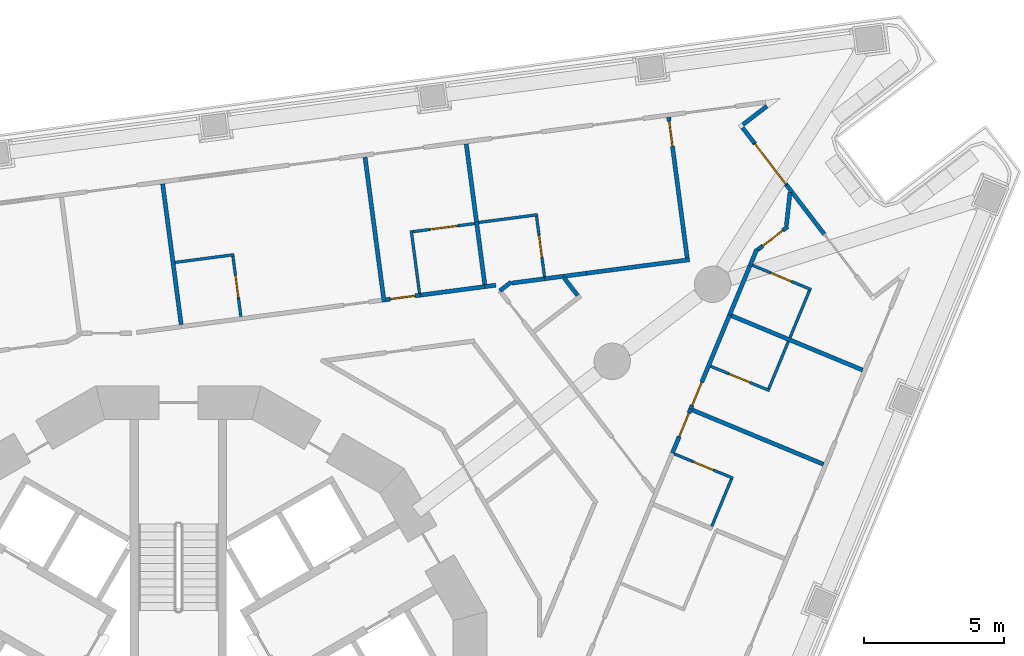
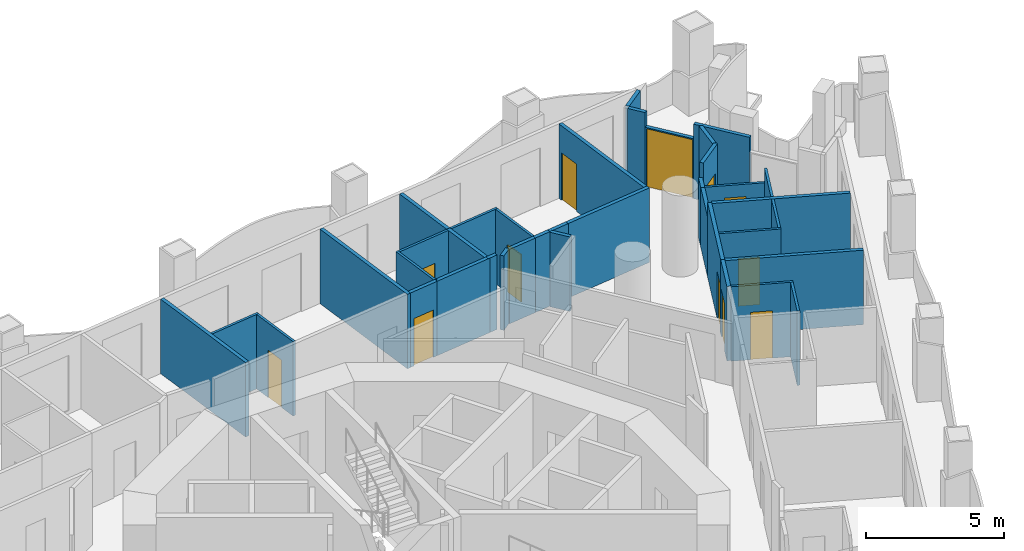
# One storey, part 10 of 19: 38 walls, 12 doors, 12 openings.
"""IFC4 building model written with IfcOpenShell, lengths in metres."""

from ifc_helpers import new_model, si_unit, direction, frame, frame_2d, origin, place, context, subcontext, project, spatial, polyline, rectangle, outline, extrude, material, layer, layer_set, type_object, element, fill, save


model = new_model("IFC4")

# Units and contexts
model_context = context("Model", 3, precision=1e-05, world=origin(), true_north=direction((0.0, 1.0)))
body_context = subcontext(model_context, "Body", "Model", "MODEL_VIEW")
ifc_project = project(units=[si_unit("LENGTHUNIT", "METRE"), si_unit("AREAUNIT", "SQUARE_METRE"), si_unit("VOLUMEUNIT", "CUBIC_METRE"), si_unit("PLANEANGLEUNIT", "RADIAN"), si_unit("MASSUNIT", "GRAM", prefix="KILO")], contexts=[model_context])

# Site, building, storey
site_placement = place(None, origin())
site = spatial("IfcSite", under=ifc_project, at=site_placement, CompositionType="ELEMENT")
building_placement = place(site_placement, origin())
building = spatial("IfcBuilding", under=site, at=building_placement, Name="Trine Commons Tower", CompositionType="ELEMENT")
storey_placement = place(building_placement, frame((0.0, 0.0, 72.0)))
storey = spatial("IfcBuildingStorey", under=building, at=storey_placement, Name="L17", CompositionType="ELEMENT", Elevation=72.0)

# Walls
ifc_material_1 = material(Name="Aluminium-framed insulated wall panel", Category="aluminium")
ifc_layer_1 = layer(ifc_material_1, 0.14990234375)
ifc_layer_set_1 = layer_set([ifc_layer_1], Name="Aluminium-framed insulated wall panel")
wall_type_1 = type_object("IfcWallType", Name="Glazed frame wall 150, EI 60", PredefinedType="SOLIDWALL", material=ifc_layer_set_1)
wall_1_placement = place(storey_placement, frame((101.129150390625, 83.584716796875, 0.0), z_axis=(0.0, 0.0, 1.0), x_axis=(-0.79337253673, -0.608736410905, 0.0)))
element("IfcWall", 1, at=wall_1_placement, inside=storey, type_object=wall_type_1, Name="Glazed frame wall R5", PredefinedType="SOLIDWALL", context=body_context, shape_type="SweptSolid", body=[
    extrude(outline(polyline([(0.1494140625, 0.074951171875), (0.1494140625, -0.074951171875), (1.235107421875, -0.074951171875), (1.235107421875, 0.074951171875), (0.1494140625, 0.074951171875)])), origin(), (0.0, 0.0, 1.0), 3.300048828125),
])
wall_2_placement = place(storey_placement, frame((100.068603515625, 82.81494140625, 0.0), z_axis=(0.0, 0.0, 1.0), x_axis=(0.608899188606, -0.79324761463, 0.0)))
element("IfcWall", 2, at=wall_2_placement, inside=storey, type_object=wall_type_1, Name="Glazed frame wall P2.1", PredefinedType="SOLIDWALL", context=body_context, shape_type="SweptSolid", body=[
    extrude(outline(polyline([(0.110107421875, -0.074951171875), (0.800048828125, -0.074951171875), (0.800048828125, 0.074951171875), (0.110107421875, 0.074951171875), (0.110107421875, -0.074951171875)])), origin(), (0.0, 0.0, 1.0), 3.300048828125),
])

# Wall, opening, door
wall_3_placement = place(storey_placement, frame((100.5556640625, 82.180419921875, 0.0), z_axis=(0.0, 0.0, 1.0), x_axis=(0.608803740143, -0.793320872023, 0.0)))
wall_3 = element("IfcWall", 3, at=wall_3_placement, inside=storey, type_object=wall_type_1, Name="Glazed frame wall P2.2", PredefinedType="SOLIDWALL", context=body_context, shape_type="SweptSolid", body=[
    extrude(outline(polyline([(0.0, -0.074951171875), (1.89990234375, -0.074951171875), (1.89990234375, 0.074951171875), (0.0, 0.074951171875), (0.0, -0.074951171875)])), origin(), (0.0, 0.0, 1.0), 2.64990234375),
])
opening_1_placement = place(wall_3_placement, frame((0.050048828125, 0.0, 0.0)))
opening_1 = element("IfcOpeningElement", 4, at=opening_1_placement, cuts=wall_3, Name="Opening BD-2P2-01", PredefinedType="OPENING", context=body_context, shape_type="SweptSolid", body=[
    extrude(rectangle(XDim=1.800048828125, YDim=2.60009765625, at=frame_2d((0.89990234375, 1.300048828125))), frame((0.0, 0.0849609375, 0.0), z_axis=(0.0, -1.0, 0.0), x_axis=(1.0, 0.0, 0.0)), (0.0, 0.0, 1.0), 0.169921875),
])
ifc_material_2 = material(Name="Anodised aluminium frame with double glazing", Category="aluminium")
door_type_1 = type_object("IfcDoorType", Name="Sliding loggia door 1800x2600", OperationType="SLIDING_TO_LEFT", PredefinedType="DOOR", material=ifc_material_2)
door_1_placement = place(opening_1_placement, origin())
door_1 = element("IfcDoor", 5, at=door_1_placement, inside=storey, type_object=door_type_1, Name="Loggia door P2 1", OperationType="SLIDING_TO_LEFT", OverallHeight=2.60009765625, OverallWidth=1.800048828125, PredefinedType="DOOR", context=body_context, shape_type="SweptSolid", body=[
    extrude(rectangle(XDim=1.800048828125, YDim=2.60009765625, at=frame_2d((0.89990234375, 1.300048828125))), frame((0.0, 0.02490234375, 0.0), z_axis=(0.0, -1.0, 0.0), x_axis=(1.0, 0.0, 0.0)), (0.0, 0.0, 1.0), 0.050048828125),
])
fill(opening_1, door_1)

# Walls
wall_4_placement = place(storey_placement, frame((101.71240234375, 80.673095703125, 0.0), z_axis=(0.0, 0.0, 1.0), x_axis=(0.608664482268, -0.793427720732, 0.0)))
element("IfcWall", 6, at=wall_4_placement, inside=storey, type_object=wall_type_1, Name="Glazed frame wall P2.3", PredefinedType="SOLIDWALL", context=body_context, shape_type="SweptSolid", body=[
    extrude(outline(polyline([(0.0, -0.074951171875), (2.199951171875, -0.074951171875), (2.199951171875, 0.074951171875), (0.0, 0.074951171875), (0.0, -0.074951171875)])), origin(), (0.0, 0.0, 1.0), 3.300048828125),
])
ifc_material_3 = material(Name="Gypsum plasterboard on steel stud", Category="steel")
ifc_layer_2 = layer(ifc_material_3, 0.14990234375)
ifc_layer_set_2 = layer_set([ifc_layer_2], Name="Gypsum plasterboard on steel stud")
wall_type_2 = type_object("IfcWallType", Name="Unit and corridor wall 150 mm, EI 60", PredefinedType="PARTITIONING", material=ifc_layer_set_2)
wall_5_placement = place(storey_placement, frame((79.439208984375, 80.71923828125, 0.0), z_axis=(0.0, 0.0, 1.0), x_axis=(0.130505643681, -0.991447566424, 0.0)))
element("IfcWall", 7, at=wall_5_placement, inside=storey, type_object=wall_type_2, Name="Partition 077", PredefinedType="PARTITIONING", context=body_context, shape_type="SweptSolid", body=[
    extrude(rectangle(XDim=5.06396484375, YDim=0.14990234375, at=frame_2d((2.531982421875, 0.0))), origin(), (0.0, 0.0, 1.0), 3.300048828125),
])
wall_6_placement = place(storey_placement, frame((86.664306640625, 81.67041015625, 0.0), z_axis=(0.0, 0.0, 1.0), x_axis=(0.130516294002, -0.991446164449, 0.0)))
element("IfcWall", 8, at=wall_6_placement, inside=storey, type_object=wall_type_2, Name="Partition 101", PredefinedType="PARTITIONING", context=body_context, shape_type="SweptSolid", body=[
    extrude(rectangle(XDim=5.21337890625, YDim=0.14990234375, at=frame_2d((2.606689453125, 0.0))), origin(), (0.0, 0.0, 1.0), 3.300048828125),
])

# Wall, opening, door
wall_7_placement = place(storey_placement, frame((87.405517578125, 76.584716796875, 0.0), z_axis=(0.0, 0.0, 1.0), x_axis=(0.99140610916, 0.130820207616, 0.0)))
wall_7 = element("IfcWall", 9, at=wall_7_placement, inside=storey, type_object=wall_type_2, Name="Partition 105", PredefinedType="PARTITIONING", context=body_context, shape_type="SweptSolid", body=[
    extrude(rectangle(XDim=1.22607421875, YDim=0.14990234375, at=frame_2d((0.613037109375, 0.0))), origin(), (0.0, 0.0, 1.0), 3.300048828125),
])
opening_2_placement = place(wall_7_placement, frame((0.160888671875, 0.0, 0.0)))
opening_2 = element("IfcOpeningElement", 10, at=opening_2_placement, cuts=wall_7, Name="Opening D-2C13", PredefinedType="OPENING", context=body_context, shape_type="SweptSolid", body=[
    extrude(rectangle(XDim=0.89990234375, YDim=2.10009765625, at=frame_2d((0.449951171875, 1.050048828125))), frame((0.0, 0.0849609375, 0.0), z_axis=(0.0, -1.0, 0.0), x_axis=(1.0, 0.0, 0.0)), (0.0, 0.0, 1.0), 0.169921875),
])
ifc_material_4 = material(Name="Timber fire door set", Category="wood")
door_type_2 = type_object("IfcDoorType", Name="Bedroom door 900 x 2100, FD30S", OperationType="NOTDEFINED", PredefinedType="DOOR", material=ifc_material_4)
door_2_placement = place(opening_2_placement, origin())
door_2 = element("IfcDoor", 11, at=door_2_placement, inside=storey, type_object=door_type_2, Name="Door D-2C13", OperationType="SINGLE_SWING_LEFT", OverallHeight=2.10009765625, OverallWidth=0.89990234375, PredefinedType="DOOR", context=body_context, shape_type="SweptSolid", body=[
    extrude(rectangle(XDim=0.89990234375, YDim=2.10009765625, at=frame_2d((0.449951171875, 1.050048828125))), frame((0.0, 0.02490234375, 0.0), z_axis=(0.0, -1.0, 0.0), x_axis=(1.0, 0.0, 0.0)), (0.0, 0.0, 1.0), 0.050048828125),
])
fill(opening_2, door_2)

# Walls
wall_8_placement = place(storey_placement, frame((88.613037109375, 76.743896484375, 0.0), z_axis=(0.0, 0.0, 1.0), x_axis=(0.991430030874, 0.13063879164, 0.0)))
element("IfcWall", 12, at=wall_8_placement, inside=storey, type_object=wall_type_2, Name="Partition 111", PredefinedType="PARTITIONING", context=body_context, shape_type="SweptSolid", body=[
    extrude(rectangle(XDim=2.43310546875, YDim=0.14990234375, at=frame_2d((1.216552734375, 0.0))), origin(), (0.0, 0.0, 1.0), 3.300048828125),
])
wall_9_placement = place(storey_placement, frame((90.276123046875, 82.146240234375, 0.0), z_axis=(0.0, 0.0, 1.0), x_axis=(0.130770959069, -0.991412606468, 0.0)))
element("IfcWall", 13, at=wall_9_placement, inside=storey, type_object=wall_type_2, Name="Partition 117", PredefinedType="PARTITIONING", context=body_context, shape_type="SweptSolid", body=[
    extrude(rectangle(XDim=2.893798828125, YDim=0.14990234375, at=frame_2d((1.44677734375, 0.0))), origin(), (0.0, 0.0, 1.0), 3.300048828125),
])
wall_10_placement = place(storey_placement, frame((90.6435546875, 79.361572265625, 0.0), z_axis=(0.0, 0.0, 1.0), x_axis=(0.130227687499, -0.991484114552, 0.0)))
element("IfcWall", 14, at=wall_10_placement, inside=storey, type_object=wall_type_2, Name="Partition 121", PredefinedType="PARTITIONING", context=body_context, shape_type="SweptSolid", body=[
    extrude(rectangle(XDim=2.25537109375, YDim=0.14990234375, at=frame_2d((1.127685546875, 0.0))), origin(), (0.0, 0.0, 1.0), 3.300048828125),
])
wall_11_placement = place(storey_placement, frame((90.935302734375, 77.050048828125, 0.0), z_axis=(0.0, 0.0, 1.0), x_axis=(0.991508240123, 0.130043876322, 0.0)))
element("IfcWall", 15, at=wall_11_placement, inside=storey, type_object=wall_type_2, Name="Partition 125", PredefinedType="PARTITIONING", context=body_context, shape_type="SweptSolid", body=[
    extrude(rectangle(XDim=0.39990234375, YDim=0.14990234375, at=frame_2d((0.199951171875, 0.0))), origin(), (0.0, 0.0, 1.0), 3.300048828125),
])
wall_12_placement = place(storey_placement, frame((91.47607421875, 76.903076171875, 0.0), z_axis=(0.0, 0.0, 1.0), x_axis=(0.794371473226, 0.607432269908, 0.0)))
element("IfcWall", 16, at=wall_12_placement, inside=storey, type_object=wall_type_2, Name="Partition 129", PredefinedType="PARTITIONING", context=body_context, shape_type="SweptSolid", body=[
    extrude(rectangle(XDim=0.508056640625, YDim=0.14990234375, at=frame_2d((0.25390625, 0.0))), origin(), (0.0, 0.0, 1.0), 3.300048828125),
])
wall_13_placement = place(storey_placement, frame((91.894287109375, 77.17578125, 0.0), z_axis=(0.0, 0.0, 1.0), x_axis=(0.991471614011, 0.130322824598, 0.0)))
element("IfcWall", 17, at=wall_13_placement, inside=storey, type_object=wall_type_2, Name="Partition 130", PredefinedType="PARTITIONING", context=body_context, shape_type="SweptSolid", body=[
    extrude(rectangle(XDim=1.198974609375, YDim=0.14990234375, at=frame_2d((0.599609375, 0.0))), origin(), (0.0, 0.0, 1.0), 3.300048828125),
])
wall_14_placement = place(storey_placement, frame((93.074951171875, 77.3310546875, 0.0), z_axis=(0.0, 0.0, 1.0), x_axis=(0.991453033969, 0.130464100171, 0.0)))
element("IfcWall", 18, at=wall_14_placement, inside=storey, type_object=wall_type_2, Name="Partition 142", PredefinedType="PARTITIONING", context=body_context, shape_type="SweptSolid", body=[
    extrude(rectangle(XDim=0.65869140625, YDim=0.14990234375, at=frame_2d((0.329345703125, 0.0))), origin(), (0.0, 0.0, 1.0), 3.300048828125),
])
wall_15_placement = place(storey_placement, frame((93.773681640625, 77.357421875, 0.0), z_axis=(0.0, 0.0, 1.0), x_axis=(0.609485891215, -0.792796914985, 0.0)))
element("IfcWall", 19, at=wall_15_placement, inside=storey, type_object=wall_type_2, Name="Partition 145", PredefinedType="PARTITIONING", context=body_context, shape_type="SweptSolid", body=[
    extrude(rectangle(XDim=0.787109375, YDim=0.14990234375, at=frame_2d((0.3935546875, 0.0))), origin(), (0.0, 0.0, 1.0), 3.300048828125),
])
wall_16_placement = place(storey_placement, frame((93.72802734375, 77.4169921875, 0.0), z_axis=(0.0, 0.0, 1.0), x_axis=(0.991356991582, 0.131191902348, 0.0)))
element("IfcWall", 20, at=wall_16_placement, inside=storey, type_object=wall_type_2, Name="Partition 146", PredefinedType="PARTITIONING", context=body_context, shape_type="SweptSolid", body=[
    extrude(rectangle(XDim=0.83935546875, YDim=0.14990234375, at=frame_2d((0.419677734375, 0.0))), origin(), (0.0, 0.0, 1.0), 3.300048828125),
])
wall_17_placement = place(storey_placement, frame((94.56005859375, 77.527099609375, 0.0), z_axis=(0.0, 0.0, 1.0), x_axis=(0.991468816947, 0.130344102367, 0.0)))
element("IfcWall", 21, at=wall_17_placement, inside=storey, type_object=wall_type_2, Name="Partition 148", PredefinedType="PARTITIONING", context=body_context, shape_type="SweptSolid", body=[
    extrude(rectangle(XDim=3.718017578125, YDim=0.14990234375, at=frame_2d((1.85888671875, 0.0))), origin(), (0.0, 0.0, 1.0), 3.300048828125),
])

# Wall, opening, door
wall_18_placement = place(storey_placement, frame((97.501220703125, 83.097412109375, 0.0), z_axis=(0.0, 0.0, 1.0), x_axis=(0.130499406053, -0.991448387471, 0.0)))
wall_18 = element("IfcWall", 22, at=wall_18_placement, inside=storey, type_object=wall_type_2, Name="Partition 153", PredefinedType="PARTITIONING", context=body_context, shape_type="SweptSolid", body=[
    extrude(rectangle(XDim=5.064208984375, YDim=0.14990234375, at=frame_2d((2.5322265625, 0.0))), origin(), (0.0, 0.0, 1.0), 3.300048828125),
])
opening_3_placement = place(wall_18_placement, frame((0.14990234375, 0.0, 0.0)))
opening_3 = element("IfcOpeningElement", 23, at=opening_3_placement, cuts=wall_18, Name="Opening D-2C14", PredefinedType="OPENING", context=body_context, shape_type="SweptSolid", body=[
    extrude(rectangle(XDim=0.89990234375, YDim=2.10009765625, at=frame_2d((0.449951171875, 1.050048828125))), frame((0.0, 0.0849609375, 0.0), z_axis=(0.0, -1.0, 0.0), x_axis=(1.0, 0.0, 0.0)), (0.0, 0.0, 1.0), 0.169921875),
])
door_3_placement = place(opening_3_placement, frame((0.89990234375, 0.0, 0.0), z_axis=(0.0, 0.0, 1.0), x_axis=(-1.0, 0.0, 0.0)))
door_3 = element("IfcDoor", 24, at=door_3_placement, inside=storey, type_object=door_type_2, Name="Door D-2C14", OperationType="SINGLE_SWING_RIGHT", OverallHeight=2.10009765625, OverallWidth=0.89990234375, PredefinedType="DOOR", context=body_context, shape_type="SweptSolid", body=[
    extrude(rectangle(XDim=0.89990234375, YDim=2.10009765625, at=frame_2d((0.449951171875, 1.050048828125))), frame((0.0, 0.02490234375, 0.0), z_axis=(0.0, -1.0, 0.0), x_axis=(1.0, 0.0, 0.0)), (0.0, 0.0, 1.0), 0.050048828125),
])
fill(opening_3, door_3)

wall_19_placement = place(storey_placement, frame((97.633056640625, 71.10595703125, 0.0), z_axis=(0.0, 0.0, 1.0), x_axis=(0.382868343203, 0.923802918253, 0.0)))
wall_19 = element("IfcWall", 25, at=wall_19_placement, inside=storey, type_object=wall_type_2, Name="Partition 154", PredefinedType="PARTITIONING", context=body_context, shape_type="SweptSolid", body=[
    extrude(rectangle(XDim=1.697509765625, YDim=0.14990234375, at=frame_2d((0.8486328125, 0.0))), origin(), (0.0, 0.0, 1.0), 3.300048828125),
])
opening_4_placement = place(wall_19_placement, frame((0.647216796875, 0.0, 0.0)))
opening_4 = element("IfcOpeningElement", 26, at=opening_4_placement, cuts=wall_19, Name="Opening D-2C17", PredefinedType="OPENING", context=body_context, shape_type="SweptSolid", body=[
    extrude(rectangle(XDim=0.89990234375, YDim=2.10009765625, at=frame_2d((0.449951171875, 1.050048828125))), frame((0.0, 0.0849609375, 0.0), z_axis=(0.0, -1.0, 0.0), x_axis=(1.0, 0.0, 0.0)), (0.0, 0.0, 1.0), 0.169921875),
])
door_4_placement = place(opening_4_placement, frame((0.89990234375, 0.0, 0.0), z_axis=(0.0, 0.0, 1.0), x_axis=(-1.0, 0.0, 0.0)))
door_4 = element("IfcDoor", 27, at=door_4_placement, inside=storey, type_object=door_type_2, Name="Door D-2C17", OperationType="SINGLE_SWING_LEFT", OverallHeight=2.10009765625, OverallWidth=0.89990234375, PredefinedType="DOOR", context=body_context, shape_type="SweptSolid", body=[
    extrude(rectangle(XDim=0.89990234375, YDim=2.10009765625, at=frame_2d((0.449951171875, 1.050048828125))), frame((0.0, 0.02490234375, 0.0), z_axis=(0.0, -1.0, 0.0), x_axis=(1.0, 0.0, 0.0)), (0.0, 0.0, 1.0), 0.050048828125),
])
fill(opening_4, door_4)

wall_20_placement = place(storey_placement, frame((98.282958984375, 72.674072265625, 0.0), z_axis=(0.0, 0.0, 1.0), x_axis=(0.382639824681, 0.9238975942, 0.0)))
wall_20 = element("IfcWall", 28, at=wall_20_placement, inside=storey, type_object=wall_type_2, Name="Partition 157", PredefinedType="PARTITIONING", context=body_context, shape_type="SweptSolid", body=[
    extrude(rectangle(XDim=3.643310546875, YDim=0.14990234375, at=frame_2d((1.82177734375, 0.0))), origin(), (0.0, 0.0, 1.0), 3.300048828125),
])
opening_5_placement = place(wall_20_placement, frame((0.14990234375, 0.0, 0.0)))
opening_5 = element("IfcOpeningElement", 29, at=opening_5_placement, cuts=wall_20, Name="Opening D-2C16", PredefinedType="OPENING", context=body_context, shape_type="SweptSolid", body=[
    extrude(rectangle(XDim=0.89990234375, YDim=2.10009765625, at=frame_2d((0.449951171875, 1.050048828125))), frame((0.0, 0.0849609375, 0.0), z_axis=(0.0, -1.0, 0.0), x_axis=(1.0, 0.0, 0.0)), (0.0, 0.0, 1.0), 0.169921875),
])
door_5_placement = place(opening_5_placement, frame((0.89990234375, 0.0, 0.0), z_axis=(0.0, 0.0, 1.0), x_axis=(-1.0, 0.0, 0.0)))
door_5 = element("IfcDoor", 30, at=door_5_placement, inside=storey, type_object=door_type_2, Name="Door D-2C16", OperationType="SINGLE_SWING_RIGHT", OverallHeight=2.10009765625, OverallWidth=0.89990234375, PredefinedType="DOOR", context=body_context, shape_type="SweptSolid", body=[
    extrude(rectangle(XDim=0.89990234375, YDim=2.10009765625, at=frame_2d((0.449951171875, 1.050048828125))), frame((0.0, 0.02490234375, 0.0), z_axis=(0.0, -1.0, 0.0), x_axis=(1.0, 0.0, 0.0)), (0.0, 0.0, 1.0), 0.050048828125),
])
fill(opening_5, door_5)

# Walls
wall_21_placement = place(storey_placement, frame((98.352294921875, 72.645263671875, 0.0), z_axis=(0.0, 0.0, 1.0), x_axis=(0.923879340067, -0.382683896966, 0.0)))
element("IfcWall", 31, at=wall_21_placement, inside=storey, type_object=wall_type_2, Name="Partition 158", PredefinedType="PARTITIONING", context=body_context, shape_type="SweptSolid", body=[
    extrude(rectangle(XDim=5.064208984375, YDim=0.14990234375, at=frame_2d((2.5322265625, 0.0))), origin(), (0.0, 0.0, 1.0), 3.300048828125),
])
wall_22_placement = place(storey_placement, frame((99.677001953125, 76.0400390625, 0.0), z_axis=(0.0, 0.0, 1.0), x_axis=(0.382690071798, 0.92387678234, 0.0)))
element("IfcWall", 32, at=wall_22_placement, inside=storey, type_object=wall_type_2, Name="Partition 162", PredefinedType="PARTITIONING", context=body_context, shape_type="SweptSolid", body=[
    extrude(rectangle(XDim=1.95458984375, YDim=0.14990234375, at=frame_2d((0.977294921875, 0.0))), origin(), (0.0, 0.0, 1.0), 2.64990234375),
])
wall_23_placement = place(storey_placement, frame((99.746337890625, 76.01123046875, 0.0), z_axis=(0.0, 0.0, 1.0), x_axis=(0.923879340067, -0.382683896966, 0.0)))
element("IfcWall", 33, at=wall_23_placement, inside=storey, type_object=wall_type_2, Name="Partition 163", PredefinedType="PARTITIONING", context=body_context, shape_type="SweptSolid", body=[
    extrude(rectangle(XDim=5.064208984375, YDim=0.14990234375, at=frame_2d((2.5322265625, 0.0))), origin(), (0.0, 0.0, 1.0), 3.300048828125),
])
wall_24_placement = place(storey_placement, frame((100.40283203125, 77.791748046875, 0.0), z_axis=(0.0, 0.0, 1.0), x_axis=(0.382913749116, 0.923784098552, 0.0)))
element("IfcWall", 34, at=wall_24_placement, inside=storey, type_object=wall_type_2, Name="Partition 164", PredefinedType="PARTITIONING", context=body_context, shape_type="SweptSolid", body=[
    extrude(rectangle(XDim=0.65234375, YDim=0.14990234375, at=frame_2d((0.326171875, 0.0))), origin(), (0.0, 0.0, 1.0), 2.64990234375),
])

# Wall, opening, door
wall_25_placement = place(storey_placement, frame((100.68359375, 78.37060546875, 0.0), z_axis=(0.0, 0.0, 1.0), x_axis=(0.793207864218, 0.608950970229, 0.0)))
wall_25 = element("IfcWall", 35, at=wall_25_placement, inside=storey, type_object=wall_type_2, Name="Partition 166", PredefinedType="PARTITIONING", context=body_context, shape_type="SweptSolid", body=[
    extrude(rectangle(XDim=1.3515625, YDim=0.14990234375, at=frame_2d((0.67578125, 0.0))), origin(), (0.0, 0.0, 1.0), 3.300048828125),
])
opening_6_placement = place(wall_25_placement, frame((0.22509765625, 0.0, 0.0)))
opening_6 = element("IfcOpeningElement", 36, at=opening_6_placement, cuts=wall_25, Name="Opening D-2C15", PredefinedType="OPENING", context=body_context, shape_type="SweptSolid", body=[
    extrude(rectangle(XDim=0.89990234375, YDim=2.10009765625, at=frame_2d((0.449951171875, 1.050048828125))), frame((0.0, 0.0849609375, 0.0), z_axis=(0.0, -1.0, 0.0), x_axis=(1.0, 0.0, 0.0)), (0.0, 0.0, 1.0), 0.169921875),
])
door_6_placement = place(opening_6_placement, frame((0.89990234375, 0.0, 0.0), z_axis=(0.0, 0.0, 1.0), x_axis=(-1.0, 0.0, 0.0)))
door_6 = element("IfcDoor", 37, at=door_6_placement, inside=storey, type_object=door_type_2, Name="Door D-2C15", OperationType="SINGLE_SWING_RIGHT", OverallHeight=2.10009765625, OverallWidth=0.89990234375, PredefinedType="DOOR", context=body_context, shape_type="SweptSolid", body=[
    extrude(rectangle(XDim=0.89990234375, YDim=2.10009765625, at=frame_2d((0.449951171875, 1.050048828125))), frame((0.0, 0.02490234375, 0.0), z_axis=(0.0, -1.0, 0.0), x_axis=(1.0, 0.0, 0.0)), (0.0, 0.0, 1.0), 0.050048828125),
])
fill(opening_6, door_6)

# Walls
wall_26_placement = place(storey_placement, frame((101.7041015625, 79.22265625, 0.0), z_axis=(0.0, 0.0, 1.0), x_axis=(0.107345802041, 0.994221745278, 0.0)))
element("IfcWall", 38, at=wall_26_placement, inside=storey, type_object=wall_type_2, Name="Partition 168", PredefinedType="PARTITIONING", context=body_context, shape_type="SweptSolid", body=[
    extrude(rectangle(XDim=1.198486328125, YDim=0.14990234375, at=frame_2d((0.59912109375, 0.0))), origin(), (0.0, 0.0, 1.0), 3.300048828125),
])
ifc_layer_3 = layer(ifc_material_3, 0.10009765625)
ifc_layer_set_3 = layer_set([ifc_layer_3], Name="Gypsum plasterboard on steel stud")
wall_type_3 = type_object("IfcWallType", Name="Unit partition 100 mm, no rating", PredefinedType="PARTITIONING", material=ifc_layer_set_3)
wall_27_placement = place(storey_placement, frame((79.884521484375, 77.914794921875, 0.0), z_axis=(0.0, 0.0, 1.0), x_axis=(0.991484002745, 0.130228538733, 0.0)))
element("IfcWall", 39, at=wall_27_placement, inside=storey, type_object=wall_type_3, Name="Partition 078", PredefinedType="PARTITIONING", context=body_context, shape_type="SweptSolid", body=[
    extrude(rectangle(XDim=2.1240234375, YDim=0.10009765625, at=frame_2d((1.06201171875, 0.0))), origin(), (0.0, 0.0, 1.0), 3.300048828125),
])

# Wall, opening, door
wall_28_placement = place(storey_placement, frame((81.947509765625, 78.135498046875, 0.0), z_axis=(0.0, 0.0, 1.0), x_axis=(0.130898813875, -0.991395733563, 0.0)))
wall_28 = element("IfcWall", 40, at=wall_28_placement, inside=storey, type_object=wall_type_3, Name="Partition 082", PredefinedType="PARTITIONING", context=body_context, shape_type="SweptSolid", body=[
    extrude(rectangle(XDim=2.1748046875, YDim=0.10009765625, at=frame_2d((1.08740234375, 0.0))), origin(), (0.0, 0.0, 1.0), 3.300048828125),
])
opening_7_placement = place(wall_28_placement, frame((0.6875, 0.0, 0.0)))
opening_7 = element("IfcOpeningElement", 41, at=opening_7_placement, cuts=wall_28, Name="Opening D-2C45", PredefinedType="OPENING", context=body_context, shape_type="SweptSolid", body=[
    extrude(rectangle(XDim=0.800048828125, YDim=2.10009765625, at=frame_2d((0.39990234375, 1.050048828125))), frame((0.0, 0.06005859375, 0.0), z_axis=(0.0, -1.0, 0.0), x_axis=(1.0, 0.0, 0.0)), (0.0, 0.0, 1.0), 0.1201171875),
])
ifc_material_5 = material(Name="Painted timber", Category="wood")
door_type_3 = type_object("IfcDoorType", Name="Internal door 800 x 2100, NOT RATED", OperationType="NOTDEFINED", PredefinedType="DOOR", material=ifc_material_5)
door_7_placement = place(opening_7_placement, origin())
door_7 = element("IfcDoor", 42, at=door_7_placement, inside=storey, type_object=door_type_3, Name="Door D-2C45", OperationType="SINGLE_SWING_LEFT", OverallHeight=2.10009765625, OverallWidth=0.800048828125, PredefinedType="DOOR", context=body_context, shape_type="SweptSolid", body=[
    extrude(rectangle(XDim=0.800048828125, YDim=2.10009765625, at=frame_2d((0.39990234375, 1.050048828125))), frame((0.0, 0.02490234375, 0.0), z_axis=(0.0, -1.0, 0.0), x_axis=(1.0, 0.0, 0.0)), (0.0, 0.0, 1.0), 0.050048828125),
])
fill(opening_7, door_7)

# Wall
wall_29_placement = place(storey_placement, frame((88.3134765625, 79.0546875, 0.0), z_axis=(0.0, 0.0, 1.0), x_axis=(0.130207921937, -0.991486710483, 0.0)))
element("IfcWall", 43, at=wall_29_placement, inside=storey, type_object=wall_type_3, Name="Partition 108", PredefinedType="PARTITIONING", context=body_context, shape_type="SweptSolid", body=[
    extrude(rectangle(XDim=2.33056640625, YDim=0.10009765625, at=frame_2d((1.165283203125, 0.0))), origin(), (0.0, 0.0, 1.0), 3.300048828125),
])

# Wall, opening, door
wall_30_placement = place(storey_placement, frame((88.36962890625, 79.011474609375, 0.0), z_axis=(0.0, 0.0, 1.0), x_axis=(0.991425141763, 0.130675890199, 0.0)))
wall_30 = element("IfcWall", 44, at=wall_30_placement, inside=storey, type_object=wall_type_3, Name="Partition 109", PredefinedType="PARTITIONING", context=body_context, shape_type="SweptSolid", body=[
    extrude(rectangle(XDim=2.22509765625, YDim=0.10009765625, at=frame_2d((1.112548828125, 0.0))), origin(), (0.0, 0.0, 1.0), 3.300048828125),
])
opening_8_placement = place(wall_30_placement, frame((0.612548828125, 0.0, 0.0)))
opening_8 = element("IfcOpeningElement", 45, at=opening_8_placement, cuts=wall_30, Name="Opening D-2C46", PredefinedType="OPENING", context=body_context, shape_type="SweptSolid", body=[
    extrude(rectangle(XDim=1.0, YDim=2.10009765625, at=frame_2d((0.5, 1.050048828125))), frame((0.0, 0.06005859375, 0.0), z_axis=(0.0, -1.0, 0.0), x_axis=(1.0, 0.0, 0.0)), (0.0, 0.0, 1.0), 0.1201171875),
])
door_type_4 = type_object("IfcDoorType", Name="Internal door 1000 x 2100, NOT RATED", OperationType="NOTDEFINED", PredefinedType="DOOR", material=ifc_material_5)
door_8_placement = place(opening_8_placement, origin())
door_8 = element("IfcDoor", 46, at=door_8_placement, inside=storey, type_object=door_type_4, Name="Door D-2C46", OperationType="SINGLE_SWING_LEFT", OverallHeight=2.10009765625, OverallWidth=1.0, PredefinedType="DOOR", context=body_context, shape_type="SweptSolid", body=[
    extrude(rectangle(XDim=1.0, YDim=2.10009765625, at=frame_2d((0.5, 1.050048828125))), frame((0.0, 0.02490234375, 0.0), z_axis=(0.0, -1.0, 0.0), x_axis=(1.0, 0.0, 0.0)), (0.0, 0.0, 1.0), 0.050048828125),
])
fill(opening_8, door_8)

# Wall
wall_31_placement = place(storey_placement, frame((90.721435546875, 79.3408203125, 0.0), z_axis=(0.0, 0.0, 1.0), x_axis=(0.991434344141, 0.130606053677, 0.0)))
element("IfcWall", 47, at=wall_31_placement, inside=storey, type_object=wall_type_3, Name="Partition 120", PredefinedType="PARTITIONING", context=body_context, shape_type="SweptSolid", body=[
    extrude(rectangle(XDim=2.12548828125, YDim=0.10009765625, at=frame_2d((1.062744140625, 0.0))), origin(), (0.0, 0.0, 1.0), 3.300048828125),
])

# Wall, opening, door
wall_32_placement = place(storey_placement, frame((92.785400390625, 79.5625, 0.0), z_axis=(0.0, 0.0, 1.0), x_axis=(0.130457416757, -0.991453913409, 0.0)))
wall_32 = element("IfcWall", 48, at=wall_32_placement, inside=storey, type_object=wall_type_3, Name="Partition 137", PredefinedType="PARTITIONING", context=body_context, shape_type="SweptSolid", body=[
    extrude(rectangle(XDim=2.174560546875, YDim=0.10009765625, at=frame_2d((1.08740234375, 0.0))), origin(), (0.0, 0.0, 1.0), 3.300048828125),
])
opening_9_placement = place(wall_32_placement, frame((0.687255859375, 0.0, 0.0)))
opening_9 = element("IfcOpeningElement", 49, at=opening_9_placement, cuts=wall_32, Name="Opening D-2C47", PredefinedType="OPENING", context=body_context, shape_type="SweptSolid", body=[
    extrude(rectangle(XDim=0.800048828125, YDim=2.10009765625, at=frame_2d((0.39990234375, 1.050048828125))), frame((0.0, 0.06005859375, 0.0), z_axis=(0.0, -1.0, 0.0), x_axis=(1.0, 0.0, 0.0)), (0.0, 0.0, 1.0), 0.1201171875),
])
door_9_placement = place(opening_9_placement, origin())
door_9 = element("IfcDoor", 50, at=door_9_placement, inside=storey, type_object=door_type_3, Name="Door D-2C47", OperationType="SINGLE_SWING_LEFT", OverallHeight=2.10009765625, OverallWidth=0.800048828125, PredefinedType="DOOR", context=body_context, shape_type="SweptSolid", body=[
    extrude(rectangle(XDim=0.800048828125, YDim=2.10009765625, at=frame_2d((0.39990234375, 1.050048828125))), frame((0.0, 0.02490234375, 0.0), z_axis=(0.0, -1.0, 0.0), x_axis=(1.0, 0.0, 0.0)), (0.0, 0.0, 1.0), 0.050048828125),
])
fill(opening_9, door_9)

wall_33_placement = place(storey_placement, frame((97.704345703125, 71.080322265625, 0.0), z_axis=(0.0, 0.0, 1.0), x_axis=(0.923916126796, -0.382595073996, 0.0)))
wall_33 = element("IfcWall", 51, at=wall_33_placement, inside=storey, type_object=wall_type_3, Name="Partition 155", PredefinedType="PARTITIONING", context=body_context, shape_type="SweptSolid", body=[
    extrude(rectangle(XDim=2.27490234375, YDim=0.10009765625, at=frame_2d((1.137451171875, 0.0))), origin(), (0.0, 0.0, 1.0), 3.300048828125),
])
opening_10_placement = place(wall_33_placement, frame((0.71240234375, 0.0, 0.0)))
opening_10 = element("IfcOpeningElement", 52, at=opening_10_placement, cuts=wall_33, Name="Opening D-2C50", PredefinedType="OPENING", context=body_context, shape_type="SweptSolid", body=[
    extrude(rectangle(XDim=0.800048828125, YDim=2.10009765625, at=frame_2d((0.39990234375, 1.050048828125))), frame((0.0, 0.06005859375, 0.0), z_axis=(0.0, -1.0, 0.0), x_axis=(1.0, 0.0, 0.0)), (0.0, 0.0, 1.0), 0.1201171875),
])
door_10_placement = place(opening_10_placement, origin())
door_10 = element("IfcDoor", 53, at=door_10_placement, inside=storey, type_object=door_type_3, Name="Door D-2C50", OperationType="SINGLE_SWING_LEFT", OverallHeight=2.10009765625, OverallWidth=0.800048828125, PredefinedType="DOOR", context=body_context, shape_type="SweptSolid", body=[
    extrude(rectangle(XDim=0.800048828125, YDim=2.10009765625, at=frame_2d((0.39990234375, 1.050048828125))), frame((0.0, 0.02490234375, 0.0), z_axis=(0.0, -1.0, 0.0), x_axis=(1.0, 0.0, 0.0)), (0.0, 0.0, 1.0), 0.050048828125),
])
fill(opening_10, door_10)

wall_34_placement = place(storey_placement, frame((99.000244140625, 74.210205078125, 0.0), z_axis=(0.0, 0.0, 1.0), x_axis=(0.92378006954, -0.382923469012, 0.0)))
wall_34 = element("IfcWall", 54, at=wall_34_placement, inside=storey, type_object=wall_type_3, Name="Partition 159", PredefinedType="PARTITIONING", context=body_context, shape_type="SweptSolid", body=[
    extrude(rectangle(XDim=2.275390625, YDim=0.10009765625, at=frame_2d((1.1376953125, 0.0))), origin(), (0.0, 0.0, 1.0), 3.300048828125),
])
opening_11_placement = place(wall_34_placement, frame((0.712646484375, 0.0, 0.0)))
opening_11 = element("IfcOpeningElement", 55, at=opening_11_placement, cuts=wall_34, Name="Opening D-2C49", PredefinedType="OPENING", context=body_context, shape_type="SweptSolid", body=[
    extrude(rectangle(XDim=0.800048828125, YDim=2.10009765625, at=frame_2d((0.39990234375, 1.050048828125))), frame((0.0, 0.06005859375, 0.0), z_axis=(0.0, -1.0, 0.0), x_axis=(1.0, 0.0, 0.0)), (0.0, 0.0, 1.0), 0.1201171875),
])
door_11_placement = place(opening_11_placement, frame((0.800048828125, 0.0, 0.0), z_axis=(0.0, 0.0, 1.0), x_axis=(-1.0, 0.0, 0.0)))
door_11 = element("IfcDoor", 56, at=door_11_placement, inside=storey, type_object=door_type_3, Name="Door D-2C49", OperationType="SINGLE_SWING_RIGHT", OverallHeight=2.10009765625, OverallWidth=0.800048828125, PredefinedType="DOOR", context=body_context, shape_type="SweptSolid", body=[
    extrude(rectangle(XDim=0.800048828125, YDim=2.10009765625, at=frame_2d((0.39990234375, 1.050048828125))), frame((0.0, 0.02490234375, 0.0), z_axis=(0.0, -1.0, 0.0), x_axis=(1.0, 0.0, 0.0)), (0.0, 0.0, 1.0), 0.050048828125),
])
fill(opening_11, door_11)

# Wall
wall_35_placement = place(storey_placement, frame((99.041748046875, 68.496337890625, 0.0), z_axis=(0.0, 0.0, 1.0), x_axis=(0.382981625731, 0.923755960388, 0.0)))
element("IfcWall", 57, at=wall_35_placement, inside=storey, type_object=wall_type_3, Name="Partition 160", PredefinedType="PARTITIONING", context=body_context, shape_type="SweptSolid", body=[
    extrude(rectangle(XDim=1.82568359375, YDim=0.10009765625, at=frame_2d((0.912841796875, 0.0))), origin(), (0.0, 0.0, 1.0), 3.300048828125),
])

# Wall, opening, door
wall_36_placement = place(storey_placement, frame((100.4921875, 77.813232421875, 0.0), z_axis=(0.0, 0.0, 1.0), x_axis=(0.92378006954, -0.382923469012, 0.0)))
wall_36 = element("IfcWall", 58, at=wall_36_placement, inside=storey, type_object=wall_type_3, Name="Partition 165", PredefinedType="PARTITIONING", context=body_context, shape_type="SweptSolid", body=[
    extrude(rectangle(XDim=2.275390625, YDim=0.10009765625, at=frame_2d((1.1376953125, 0.0))), origin(), (0.0, 0.0, 1.0), 2.64990234375),
])
opening_12_placement = place(wall_36_placement, frame((0.712646484375, 0.0, 0.0)))
opening_12 = element("IfcOpeningElement", 59, at=opening_12_placement, cuts=wall_36, Name="Opening D-2C48", PredefinedType="OPENING", context=body_context, shape_type="SweptSolid", body=[
    extrude(rectangle(XDim=0.800048828125, YDim=2.10009765625, at=frame_2d((0.39990234375, 1.050048828125))), frame((0.0, 0.06005859375, 0.0), z_axis=(0.0, -1.0, 0.0), x_axis=(1.0, 0.0, 0.0)), (0.0, 0.0, 1.0), 0.1201171875),
])
door_12_placement = place(opening_12_placement, origin())
door_12 = element("IfcDoor", 60, at=door_12_placement, inside=storey, type_object=door_type_3, Name="Door D-2C48", OperationType="SINGLE_SWING_LEFT", OverallHeight=2.10009765625, OverallWidth=0.800048828125, PredefinedType="DOOR", context=body_context, shape_type="SweptSolid", body=[
    extrude(rectangle(XDim=0.800048828125, YDim=2.10009765625, at=frame_2d((0.39990234375, 1.050048828125))), frame((0.0, 0.02490234375, 0.0), z_axis=(0.0, -1.0, 0.0), x_axis=(1.0, 0.0, 0.0)), (0.0, 0.0, 1.0), 0.050048828125),
])
fill(opening_12, door_12)

# Walls
wall_37_placement = place(storey_placement, frame((101.0751953125, 73.404296875, 0.0), z_axis=(0.0, 0.0, 1.0), x_axis=(0.382410862233, 0.923992387656, 0.0)))
element("IfcWall", 61, at=wall_37_placement, inside=storey, type_object=wall_type_3, Name="Partition 167", PredefinedType="PARTITIONING", context=body_context, shape_type="SweptSolid", body=[
    extrude(rectangle(XDim=1.8251953125, YDim=0.10009765625, at=frame_2d((0.91259765625, 0.0))), origin(), (0.0, 0.0, 1.0), 3.300048828125),
])
wall_38_placement = place(storey_placement, frame((101.830810546875, 75.229248046875, 0.0), z_axis=(0.0, 0.0, 1.0), x_axis=(0.382599996846, 0.923914088221, 0.0)))
element("IfcWall", 62, at=wall_38_placement, inside=storey, type_object=wall_type_3, Name="Partition 169", PredefinedType="PARTITIONING", context=body_context, shape_type="SweptSolid", body=[
    extrude(rectangle(XDim=1.824462890625, YDim=0.10009765625, at=frame_2d((0.912109375, 0.0))), origin(), (0.0, 0.0, 1.0), 3.300048828125),
])

save(model, "model.ifc")
